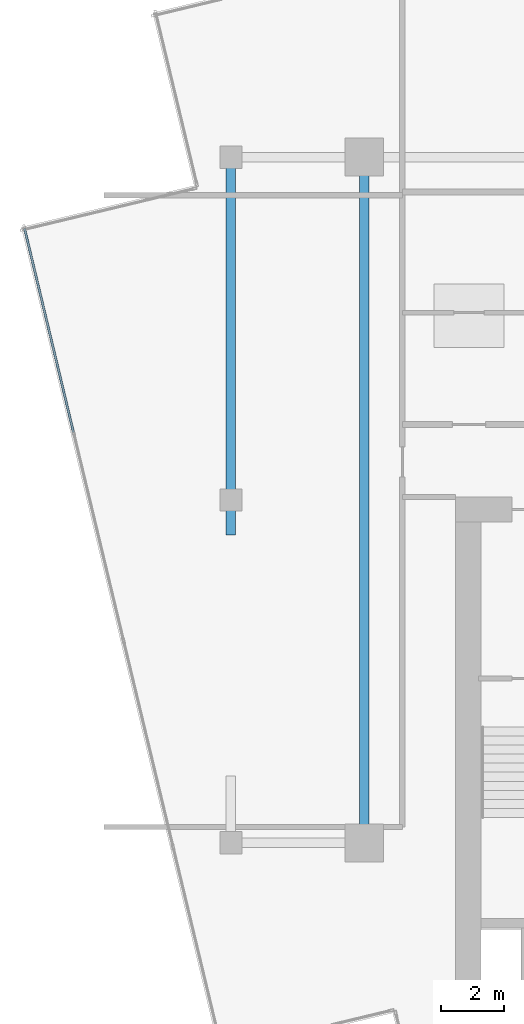
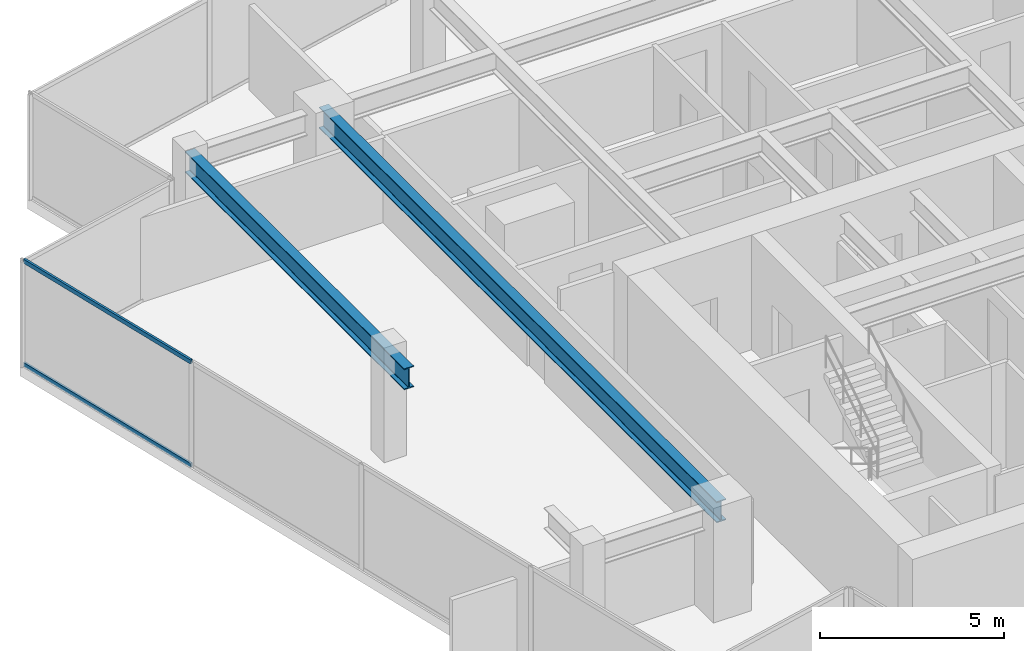
# One storey, part 6 of 19: 2 beams, 2 members, 1 element without a shape of its own.
"""IFC4 building model written with IfcOpenShell, lengths in metres."""

from ifc_helpers import new_model, si_unit, direction, frame, origin, origin_2d, place, context, subcontext, project, spatial, hollow_rectangle, i_section, extrude, source, transform, mapped, material, material_profile, profile_set, type_object, type_shapes, element, aggregate, save


model = new_model("IFC4")

# Units and contexts
model_context = context("Model", 3, precision=1e-05, world=origin(), true_north=direction((0.0, 1.0)))
body_context = subcontext(model_context, "Body", "Model", "MODEL_VIEW")
ifc_project = project(units=[si_unit("LENGTHUNIT", "METRE"), si_unit("AREAUNIT", "SQUARE_METRE"), si_unit("VOLUMEUNIT", "CUBIC_METRE"), si_unit("PLANEANGLEUNIT", "RADIAN"), si_unit("MASSUNIT", "GRAM", prefix="KILO")], contexts=[model_context])

# Site, building, storey
site_placement = place(None, origin())
site = spatial("IfcSite", under=ifc_project, at=site_placement, CompositionType="ELEMENT")
building_placement = place(site_placement, origin())
building = spatial("IfcBuilding", under=site, at=building_placement, Name="Krantzveldt Concourse Tower", CompositionType="ELEMENT")
storey_placement = place(building_placement, frame((0.0, 0.0, 363.25)))
storey = spatial("IfcBuildingStorey", under=building, at=storey_placement, Name="L89", CompositionType="ELEMENT", Elevation=363.25)

# Beams
ifc_material_1 = material(Name="Steel S355J2", Category="steel")
ifc_material_profile_1 = material_profile(ifc_material_1, i_section(OverallWidth=0.300048828125, OverallDepth=0.699951171875, WebThickness=0.01708984375, FlangeThickness=0.031982421875, FilletRadius=0.027099609375, at=origin_2d()), Name="Steel S355J2", Category="steel")
ifc_profile_set_1 = profile_set([ifc_material_profile_1], Name="Steel S355J2 - HEB 700")
beam_type = type_object("IfcBeamType", Name="BM-B-HEB700", PredefinedType="BEAM", material=ifc_profile_set_1)
shared_shape_1 = source(origin(), body_context, "Body", "SweptSolid", [
    extrude(i_section(OverallWidth=0.300048828125, OverallDepth=0.699951171875, WebThickness=0.01708984375, FlangeThickness=0.031982421875, FilletRadius=0.027099609375, at=origin_2d()), origin(), (0.0, 0.0, 1.0), 21.60009765625),
])
beam_1_placement = place(storey_placement, frame((25.199951171875, 15.89990234375, 3.14990234375), z_axis=(0.0, 1.0, 0.0), x_axis=(-1.0, 0.0, 0.0)))
element("IfcBeam", 1, at=beam_1_placement, inside=storey, type_object=beam_type, Name="L89 Crown Girder CBG-89-MW", PredefinedType="BEAM", context=body_context, shape_type="MappedRepresentation", body=[
    mapped(shared_shape_1, transform((0.0, 0.0, 0.0), x_axis=(1.0, 0.0, 0.0), y_axis=(0.0, 1.0, 0.0), z_axis=(0.0, 0.0, 1.0), scale=1.0)),
])
shared_shape_2 = source(origin(), body_context, "Body", "SweptSolid", [
    extrude(i_section(OverallWidth=0.300048828125, OverallDepth=0.699951171875, WebThickness=0.01708984375, FlangeThickness=0.031982421875, FilletRadius=0.027099609375, at=origin_2d()), origin(), (0.0, 0.0, 1.0), 11.89990234375),
])
type_shapes(beam_type, [shared_shape_1, shared_shape_2])
beam_2_placement = place(storey_placement, frame((21.0, 25.60009765625, 3.14990234375), z_axis=(0.0, 1.0, 0.0), x_axis=(-1.0, 0.0, 0.0)))
element("IfcBeam", 2, at=beam_2_placement, inside=storey, type_object=beam_type, Name="L89 Crown Girder CBG-89-RW2", PredefinedType="BEAM", context=body_context, shape_type="MappedRepresentation", body=[
    mapped(shared_shape_2, transform((0.0, 0.0, 0.0), x_axis=(1.0, 0.0, 0.0), y_axis=(0.0, 1.0, 0.0), z_axis=(0.0, 0.0, 1.0), scale=1.0)),
])

# Curtain wall, members
ifc_material_2 = material(Name="Anodised aluminium 6063-T6", Category="aluminium")
curtain_wall_type = type_object("IfcCurtainWallType", Name="CW7", PredefinedType="USERDEFINED", material=ifc_material_2)
curtain_wall_placement = place(storey_placement, origin())
curtain_wall = element("IfcCurtainWall", 3, at=curtain_wall_placement, inside=storey, type_object=curtain_wall_type, Name="CW-L89-BASE-04", ObjectType="UNITISED CURTAIN WALL", PredefinedType="USERDEFINED")
ifc_material_profile_2 = material_profile(ifc_material_2, hollow_rectangle(XDim=0.070068359375, YDim=0.139892578125, WallThickness=0.0048828125, at=origin_2d()), Name="Anodised aluminium 6063-T6", Category="aluminium")
ifc_profile_set_2 = profile_set([ifc_material_profile_2], Name="Anodised aluminium 6063-T6 - ALU-TRAN 140x70x5")
member_type = type_object("IfcMemberType", Name="CW-TRN-150", PredefinedType="USERDEFINED", material=ifc_profile_set_2)
shared_shape_3 = source(origin(), body_context, "Body", "SweptSolid", [
    extrude(hollow_rectangle(XDim=0.070068359375, YDim=0.139892578125, WallThickness=0.0048828125, at=origin_2d()), origin(), (0.0, 0.0, 1.0), 6.594970703125),
])
type_shapes(member_type, [shared_shape_3])
member_1_placement = place(storey_placement, frame((14.500732421875, 35.247314453125, 0.034912109375), z_axis=(0.233440156887, -0.972371170466, 0.0), x_axis=(0.972371170466, 0.233440156887, 0.0)))
member_1 = element("IfcMember", 4, at=member_1_placement, type_object=member_type, Name="CW-CRN transom 1.1", ObjectType="TRANSOM", PredefinedType="USERDEFINED", context=body_context, shape_type="MappedRepresentation", body=[
    mapped(shared_shape_3, transform((0.0, 0.0, 0.0), x_axis=(1.0, 0.0, 0.0), y_axis=(0.0, 1.0, 0.0), z_axis=(0.0, 0.0, 1.0), scale=1.0)),
])
member_2_placement = place(storey_placement, frame((14.500732421875, 35.247314453125, 3.465087890625), z_axis=(0.233440156887, -0.972371170466, 0.0), x_axis=(0.972371170466, 0.233440156887, 0.0)))
member_2 = element("IfcMember", 5, at=member_2_placement, type_object=member_type, Name="CW-CRN transom 1.2", ObjectType="TRANSOM", PredefinedType="USERDEFINED", context=body_context, shape_type="MappedRepresentation", body=[
    mapped(shared_shape_3, transform((0.0, 0.0, 0.0), x_axis=(1.0, 0.0, 0.0), y_axis=(0.0, 1.0, 0.0), z_axis=(0.0, 0.0, 1.0), scale=1.0)),
])
aggregate(curtain_wall, [member_1, member_2])

save(model, "model.ifc")
